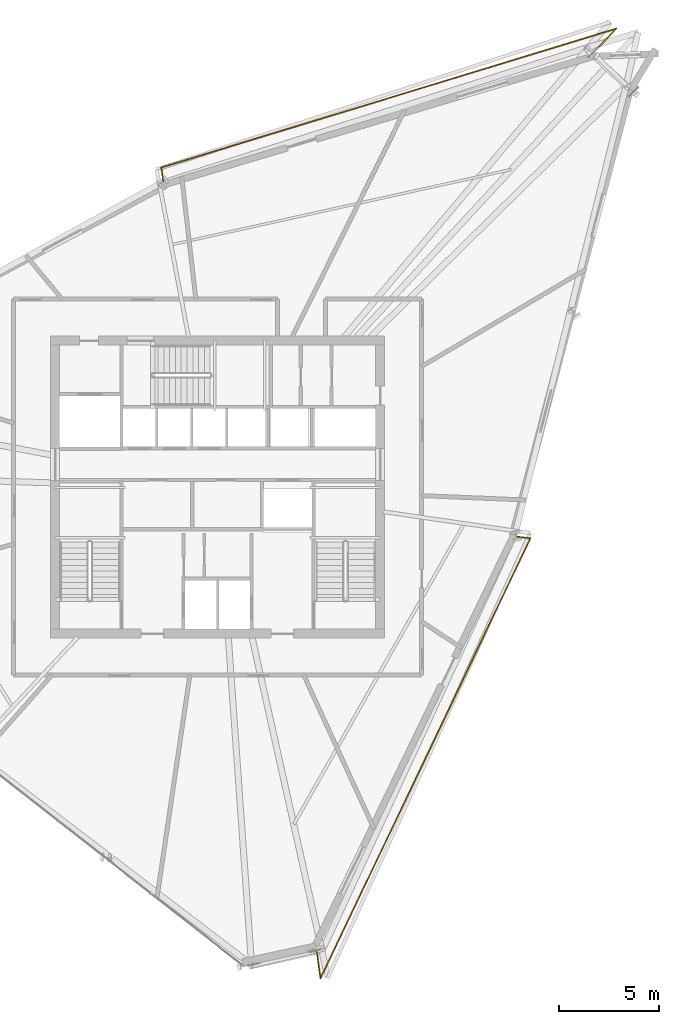
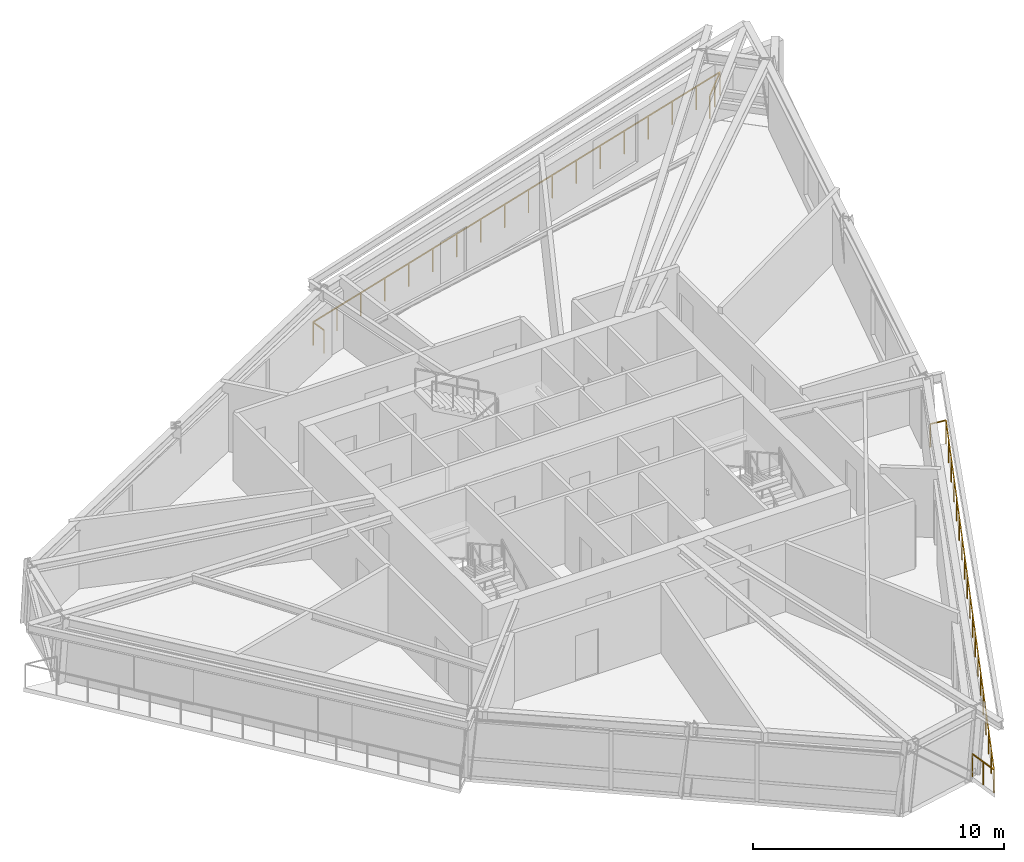
# One storey, part 14 of 14: 2 railings.
"""IFC4 building model written with IfcOpenShell, lengths in metres."""

from ifc_helpers import new_model, si_unit, direction, frame, origin, origin_2d, place, context, subcontext, project, spatial, rectangle, extrude, material, type_object, element, save


model = new_model("IFC4")

# Units and contexts
model_context = context("Model", 3, precision=1e-05, world=origin(), true_north=direction((0.0, 1.0)))
body_context = subcontext(model_context, "Body", "Model", "MODEL_VIEW")
ifc_project = project(units=[si_unit("LENGTHUNIT", "METRE"), si_unit("AREAUNIT", "SQUARE_METRE"), si_unit("VOLUMEUNIT", "CUBIC_METRE"), si_unit("PLANEANGLEUNIT", "RADIAN"), si_unit("MASSUNIT", "GRAM", prefix="KILO")], contexts=[model_context])

# Site, building, storey
site_placement = place(None, origin())
site = spatial("IfcSite", under=ifc_project, at=site_placement, CompositionType="ELEMENT")
building_placement = place(site_placement, origin())
building = spatial("IfcBuilding", under=site, at=building_placement, Name="Olszyna Solenne Hotel", CompositionType="ELEMENT")
storey_placement = place(building_placement, frame((0.0, 0.0, 223.800048828125)))
storey = spatial("IfcBuildingStorey", under=building, at=storey_placement, Name="L59", CompositionType="ELEMENT", Elevation=223.800048828125)

# Railings
ifc_material = material(Name="Anodised bronze aluminium", Category="aluminium")
railing_type = type_object("IfcRailingType", Name="GR-110", PredefinedType="BALUSTRADE", material=ifc_material)
railing_1_placement = place(storey_placement, frame((56.76708984375, 48.297119140625, 0.0)))
element("IfcRailing", 1, at=railing_1_placement, inside=storey, type_object=railing_type, Name="Loggia balcony balustrade guard GR-L59-LG1", PredefinedType="BALUSTRADE", context=body_context, shape_type="SweptSolid", body=[
    extrude(rectangle(XDim=0.048095703125, YDim=0.048095703125, at=origin_2d()), frame((0.0, 0.0, 1.1259765625), z_axis=(0.69068847752, 0.72315242309, 0.0), x_axis=(-0.72315242309, 0.69068847752, 0.0)), (0.0, 0.0, 1.0), 1.692138671875),
    extrude(rectangle(XDim=0.048095703125, YDim=0.048095703125, at=origin_2d()), frame((1.168701171875, 1.2236328125, 1.1259765625), z_axis=(-0.956411379157, -0.292022728256, 0.0), x_axis=(0.292022728256, -0.956411379157, 0.0)), (0.0, 0.0, 1.0), 23.7900390625),
    extrude(rectangle(XDim=0.048095703125, YDim=0.048095703125, at=origin_2d()), frame((-21.58447265625, -5.7236328125, 1.1259765625), z_axis=(0.140119875007, -0.99013454673, 0.0), x_axis=(0.99013454673, 0.140119875007, 0.0)), (0.0, 0.0, 1.0), 0.709228515625),
    extrude(rectangle(XDim=0.0419921875, YDim=0.0419921875, at=origin_2d()), origin(), (0.0, 0.0, 1.0), 1.101806640625),
    extrude(rectangle(XDim=0.0419921875, YDim=0.0419921875, at=origin_2d()), frame((0.58447265625, 0.61181640625, 0.0)), (0.0, 0.0, 1.0), 1.101806640625),
    extrude(rectangle(XDim=0.0419921875, YDim=0.0419921875, at=origin_2d()), frame((1.168701171875, 1.2236328125, 0.0)), (0.0, 0.0, 1.0), 1.101806640625),
    extrude(rectangle(XDim=0.0419921875, YDim=0.0419921875, at=origin_2d()), frame((-0.169677734375, 0.81494140625, 0.0)), (0.0, 0.0, 1.0), 1.101806640625),
    extrude(rectangle(XDim=0.0419921875, YDim=0.0419921875, at=origin_2d()), frame((-1.508056640625, 0.40625, 0.0)), (0.0, 0.0, 1.0), 1.101806640625),
    extrude(rectangle(XDim=0.0419921875, YDim=0.0419921875, at=origin_2d()), frame((-2.8466796875, -0.00244140625, 0.0)), (0.0, 0.0, 1.0), 1.101806640625),
    extrude(rectangle(XDim=0.0419921875, YDim=0.0419921875, at=origin_2d()), frame((-4.18505859375, -0.4111328125, 0.0)), (0.0, 0.0, 1.0), 1.101806640625),
    extrude(rectangle(XDim=0.0419921875, YDim=0.0419921875, at=origin_2d()), frame((-5.5234375, -0.819580078125, 0.0)), (0.0, 0.0, 1.0), 1.101806640625),
    extrude(rectangle(XDim=0.0419921875, YDim=0.0419921875, at=origin_2d()), frame((-6.86181640625, -1.228271484375, 0.0)), (0.0, 0.0, 1.0), 1.101806640625),
    extrude(rectangle(XDim=0.0419921875, YDim=0.0419921875, at=origin_2d()), frame((-8.2001953125, -1.636962890625, 0.0)), (0.0, 0.0, 1.0), 1.101806640625),
    extrude(rectangle(XDim=0.0419921875, YDim=0.0419921875, at=origin_2d()), frame((-9.53857421875, -2.045654296875, 0.0)), (0.0, 0.0, 1.0), 1.101806640625),
    extrude(rectangle(XDim=0.0419921875, YDim=0.0419921875, at=origin_2d()), frame((-10.877197265625, -2.454345703125, 0.0)), (0.0, 0.0, 1.0), 1.101806640625),
    extrude(rectangle(XDim=0.0419921875, YDim=0.0419921875, at=origin_2d()), frame((-12.215576171875, -2.863037109375, 0.0)), (0.0, 0.0, 1.0), 1.101806640625),
    extrude(rectangle(XDim=0.0419921875, YDim=0.0419921875, at=origin_2d()), frame((-13.553955078125, -3.271728515625, 0.0)), (0.0, 0.0, 1.0), 1.101806640625),
    extrude(rectangle(XDim=0.0419921875, YDim=0.0419921875, at=origin_2d()), frame((-14.892333984375, -3.680419921875, 0.0)), (0.0, 0.0, 1.0), 1.101806640625),
    extrude(rectangle(XDim=0.0419921875, YDim=0.0419921875, at=origin_2d()), frame((-16.230712890625, -4.0888671875, 0.0)), (0.0, 0.0, 1.0), 1.101806640625),
    extrude(rectangle(XDim=0.0419921875, YDim=0.0419921875, at=origin_2d()), frame((-17.569091796875, -4.49755859375, 0.0)), (0.0, 0.0, 1.0), 1.101806640625),
    extrude(rectangle(XDim=0.0419921875, YDim=0.0419921875, at=origin_2d()), frame((-18.90771484375, -4.90625, 0.0)), (0.0, 0.0, 1.0), 1.101806640625),
    extrude(rectangle(XDim=0.0419921875, YDim=0.0419921875, at=origin_2d()), frame((-20.24609375, -5.31494140625, 0.0)), (0.0, 0.0, 1.0), 1.101806640625),
    extrude(rectangle(XDim=0.0419921875, YDim=0.0419921875, at=origin_2d()), frame((-21.58447265625, -5.7236328125, 0.0)), (0.0, 0.0, 1.0), 1.101806640625),
    extrude(rectangle(XDim=0.0419921875, YDim=0.0419921875, at=origin_2d()), frame((-21.485107421875, -6.42578125, 0.0)), (0.0, 0.0, 1.0), 1.101806640625),
])
railing_2_placement = place(storey_placement, frame((42.943603515625, 3.438720703125, 0.0)))
element("IfcRailing", 2, at=railing_2_placement, inside=storey, type_object=railing_type, Name="Loggia balcony balustrade guard GR-L59-LG3", PredefinedType="BALUSTRADE", context=body_context, shape_type="SweptSolid", body=[
    extrude(rectangle(XDim=0.048095703125, YDim=0.048095703125, at=origin_2d()), frame((0.0, 0.0, 1.1259765625), z_axis=(0.140095997113, -0.99013792554, 0.0), x_axis=(0.99013792554, 0.140095997113, 0.0)), (0.0, 0.0, 1.0), 1.41845703125),
    extrude(rectangle(XDim=0.048095703125, YDim=0.048095703125, at=origin_2d()), frame((0.19873046875, -1.404541015625, 1.1259765625), z_axis=(0.430438129519, 0.902620084341, 0.0), x_axis=(-0.902620084341, 0.430438129519, 0.0)), (0.0, 0.0, 1.0), 24.376708984375),
    extrude(rectangle(XDim=0.048095703125, YDim=0.048095703125, at=origin_2d()), frame((10.69140625, 20.598388671875, 1.1259765625), z_axis=(-0.991381835906, 0.131004028316, 0.0), x_axis=(-0.131004028316, -0.991381835906, 0.0)), (0.0, 0.0, 1.0), 0.689453125),
    extrude(rectangle(XDim=0.0419921875, YDim=0.0419921875, at=origin_2d()), origin(), (0.0, 0.0, 1.0), 1.101806640625),
    extrude(rectangle(XDim=0.0419921875, YDim=0.0419921875, at=origin_2d()), frame((0.099365234375, -0.7021484375, 0.0)), (0.0, 0.0, 1.0), 1.101806640625),
    extrude(rectangle(XDim=0.0419921875, YDim=0.0419921875, at=origin_2d()), frame((0.19873046875, -1.404541015625, 0.0)), (0.0, 0.0, 1.0), 1.101806640625),
    extrude(rectangle(XDim=0.0419921875, YDim=0.0419921875, at=origin_2d()), frame((0.78173828125, -0.18212890625, 0.0)), (0.0, 0.0, 1.0), 1.101806640625),
    extrude(rectangle(XDim=0.0419921875, YDim=0.0419921875, at=origin_2d()), frame((1.364501953125, 1.040283203125, 0.0)), (0.0, 0.0, 1.0), 1.101806640625),
    extrude(rectangle(XDim=0.0419921875, YDim=0.0419921875, at=origin_2d()), frame((1.947509765625, 2.2626953125, 0.0)), (0.0, 0.0, 1.0), 1.101806640625),
    extrude(rectangle(XDim=0.0419921875, YDim=0.0419921875, at=origin_2d()), frame((2.530517578125, 3.485107421875, 0.0)), (0.0, 0.0, 1.0), 1.101806640625),
    extrude(rectangle(XDim=0.0419921875, YDim=0.0419921875, at=origin_2d()), frame((3.11328125, 4.707275390625, 0.0)), (0.0, 0.0, 1.0), 1.101806640625),
    extrude(rectangle(XDim=0.0419921875, YDim=0.0419921875, at=origin_2d()), frame((3.6962890625, 5.9296875, 0.0)), (0.0, 0.0, 1.0), 1.101806640625),
    extrude(rectangle(XDim=0.0419921875, YDim=0.0419921875, at=origin_2d()), frame((4.279296875, 7.152099609375, 0.0)), (0.0, 0.0, 1.0), 1.101806640625),
    extrude(rectangle(XDim=0.0419921875, YDim=0.0419921875, at=origin_2d()), frame((4.862060546875, 8.37451171875, 0.0)), (0.0, 0.0, 1.0), 1.101806640625),
    extrude(rectangle(XDim=0.0419921875, YDim=0.0419921875, at=origin_2d()), frame((5.445068359375, 9.596923828125, 0.0)), (0.0, 0.0, 1.0), 1.101806640625),
    extrude(rectangle(XDim=0.0419921875, YDim=0.0419921875, at=origin_2d()), frame((6.028076171875, 10.8193359375, 0.0)), (0.0, 0.0, 1.0), 1.101806640625),
    extrude(rectangle(XDim=0.0419921875, YDim=0.0419921875, at=origin_2d()), frame((6.61083984375, 12.041748046875, 0.0)), (0.0, 0.0, 1.0), 1.101806640625),
    extrude(rectangle(XDim=0.0419921875, YDim=0.0419921875, at=origin_2d()), frame((7.19384765625, 13.26416015625, 0.0)), (0.0, 0.0, 1.0), 1.101806640625),
    extrude(rectangle(XDim=0.0419921875, YDim=0.0419921875, at=origin_2d()), frame((7.77685546875, 14.486572265625, 0.0)), (0.0, 0.0, 1.0), 1.101806640625),
    extrude(rectangle(XDim=0.0419921875, YDim=0.0419921875, at=origin_2d()), frame((8.359619140625, 15.708740234375, 0.0)), (0.0, 0.0, 1.0), 1.101806640625),
    extrude(rectangle(XDim=0.0419921875, YDim=0.0419921875, at=origin_2d()), frame((8.942626953125, 16.93115234375, 0.0)), (0.0, 0.0, 1.0), 1.101806640625),
    extrude(rectangle(XDim=0.0419921875, YDim=0.0419921875, at=origin_2d()), frame((9.525634765625, 18.153564453125, 0.0)), (0.0, 0.0, 1.0), 1.101806640625),
    extrude(rectangle(XDim=0.0419921875, YDim=0.0419921875, at=origin_2d()), frame((10.1083984375, 19.3759765625, 0.0)), (0.0, 0.0, 1.0), 1.101806640625),
    extrude(rectangle(XDim=0.0419921875, YDim=0.0419921875, at=origin_2d()), frame((10.69140625, 20.598388671875, 0.0)), (0.0, 0.0, 1.0), 1.101806640625),
    extrude(rectangle(XDim=0.0419921875, YDim=0.0419921875, at=origin_2d()), frame((10.0078125, 20.688720703125, 0.0)), (0.0, 0.0, 1.0), 1.101806640625),
])

save(model, "model.ifc")
